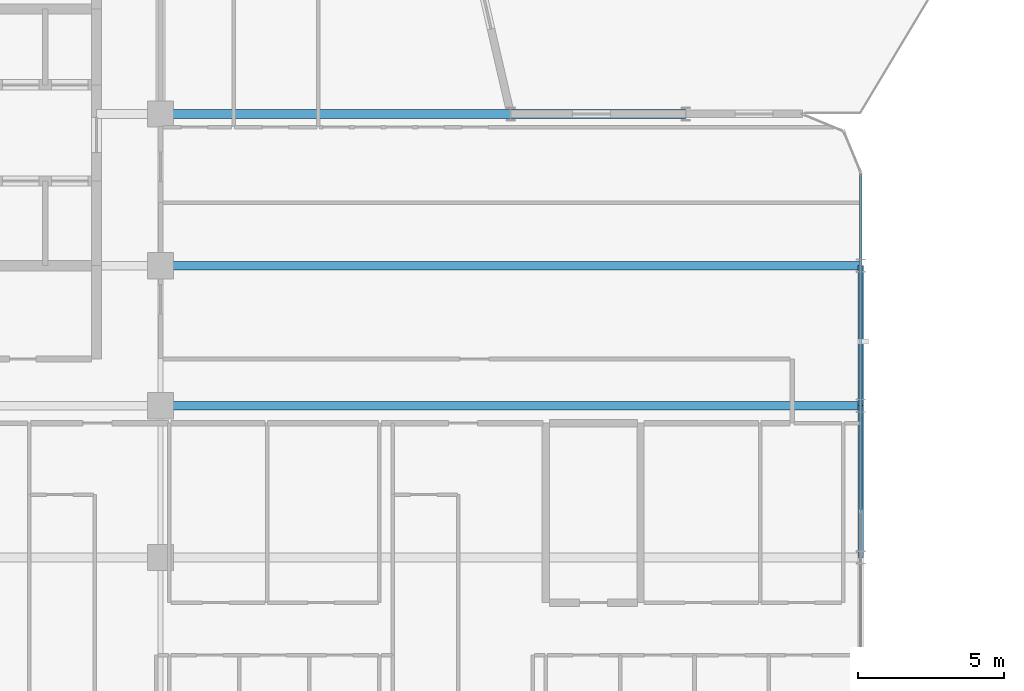
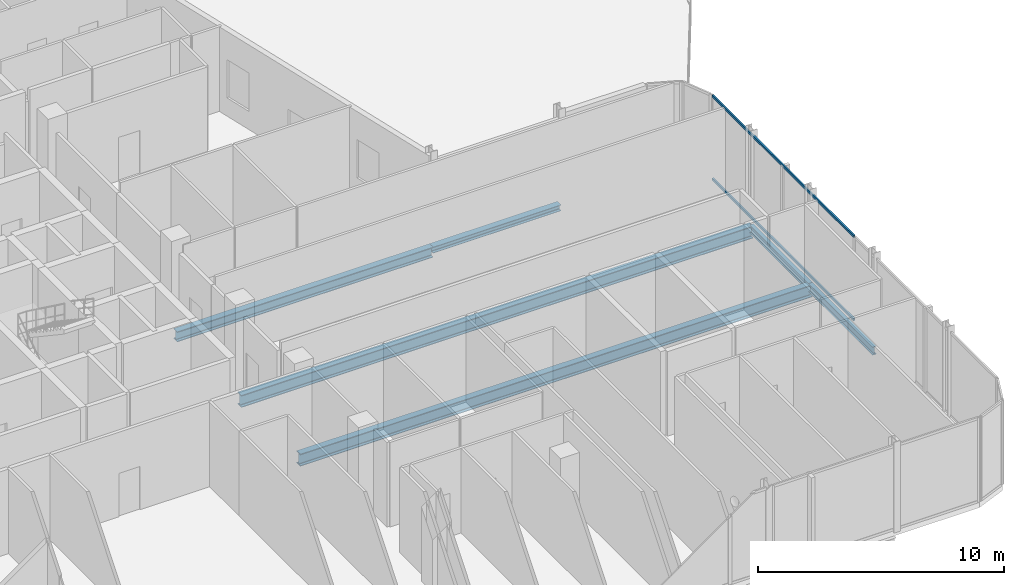
# One storey, part 13 of 28: 6 beams, 2 members, 1 element without a shape of its own.
"""IFC4 building model written with IfcOpenShell, lengths in metres."""

from ifc_helpers import new_model, si_unit, direction, frame, origin, origin_2d, place, context, subcontext, project, spatial, hollow_rectangle, i_section, extrude, material, layer, layer_set, material_profile, profile_set, type_object, element, aggregate, save


model = new_model("IFC4")

# Units and contexts
model_context = context("Model", 3, precision=1e-05, world=origin(), true_north=direction((0.0, 1.0)))
body_context = subcontext(model_context, "Body", "Model", "MODEL_VIEW")
ifc_project = project(units=[si_unit("LENGTHUNIT", "METRE"), si_unit("AREAUNIT", "SQUARE_METRE"), si_unit("VOLUMEUNIT", "CUBIC_METRE"), si_unit("PLANEANGLEUNIT", "RADIAN"), si_unit("MASSUNIT", "GRAM", prefix="KILO")], contexts=[model_context])

# Site, building, storey
site_placement = place(None, origin())
site = spatial("IfcSite", under=ifc_project, at=site_placement, CompositionType="ELEMENT")
building_placement = place(site_placement, origin())
building = spatial("IfcBuilding", under=site, at=building_placement, Name="Keshet Zoharim Tower", CompositionType="ELEMENT")
storey_placement = place(building_placement, frame((0.0, 0.0, 164.60009765625)))
storey = spatial("IfcBuildingStorey", under=building, at=storey_placement, Name="L40", CompositionType="ELEMENT", Elevation=164.60009765625)

# Beams
ifc_material_1 = material(Name="Steel S355", Category="steel")
ifc_material_profile_1 = material_profile(ifc_material_1, i_section(OverallWidth=0.300048828125, OverallDepth=0.60009765625, WebThickness=0.015380859375, FlangeThickness=0.030029296875, FilletRadius=0.027099609375, at=origin_2d()), Name="HEB600")
ifc_profile_set_1 = profile_set([ifc_material_profile_1], Name="Steel S355")
beam_type_1 = type_object("IfcBeamType", Name="BM-LNG-HB600", PredefinedType="BEAM", material=ifc_profile_set_1)
for number, where, z_axis, x_axis, name in (
    (1, (33.0, 17.89990234375, -0.610107421875), (1.0, 0.0, 0.0), (0.0, 1.0, 0.0), "L40 Primary Girder X-013"),
    (2, (33.0, 22.699951171875, -0.610107421875), (1.0, 0.0, 0.0), (0.0, 1.0, 0.0), "L40 Primary Girder X-014"),
):
    element("IfcBeam", number, at=place(storey_placement, frame(where, z_axis=z_axis, x_axis=x_axis)), inside=storey, type_object=beam_type_1, Name=name, PredefinedType="BEAM", context=body_context, shape_type="SweptSolid", body=[
        extrude(i_section(OverallWidth=0.300048828125, OverallDepth=0.60009765625, WebThickness=0.015380859375, FlangeThickness=0.030029296875, FilletRadius=0.027099609375, at=origin_2d()), origin(), (0.0, 0.0, 1.0), 24.0),
    ])
ifc_material_profile_2 = material_profile(ifc_material_1, i_section(OverallWidth=0.300048828125, OverallDepth=0.5, WebThickness=0.014404296875, FlangeThickness=0.028076171875, FilletRadius=0.027099609375, at=origin_2d()), Name="HEB500")
ifc_profile_set_2 = profile_set([ifc_material_profile_2], Name="Steel S355")
beam_type_2 = type_object("IfcBeamType", Name="BM-MED-HB500", PredefinedType="BEAM", material=ifc_profile_set_2)
beam_1_placement = place(storey_placement, frame((33.0, 27.89990234375, -0.56005859375), z_axis=(1.0, 0.0, 0.0), x_axis=(0.0, 1.0, 0.0)))
element("IfcBeam", 3, at=beam_1_placement, inside=storey, type_object=beam_type_2, Name="L40 Primary Girder X-015", PredefinedType="BEAM", context=body_context, shape_type="SweptSolid", body=[
    extrude(i_section(OverallWidth=0.300048828125, OverallDepth=0.5, WebThickness=0.014404296875, FlangeThickness=0.028076171875, FilletRadius=0.027099609375, at=origin_2d()), origin(), (0.0, 0.0, 1.0), 12.0),
])
ifc_material_profile_3 = material_profile(ifc_material_1, i_section(OverallWidth=0.300048828125, OverallDepth=0.300048828125, WebThickness=0.010986328125, FlangeThickness=0.01904296875, FilletRadius=0.027099609375, at=origin_2d()), Name="HEB300")
ifc_profile_set_3 = profile_set([ifc_material_profile_3], Name="Steel S355")
beam_type_3 = type_object("IfcBeamType", Name="BM-PRI-HB300", PredefinedType="BEAM", material=ifc_profile_set_3)
beam_2_placement = place(storey_placement, frame((45.0, 27.89990234375, -0.460205078125), z_axis=(1.0, 0.0, 0.0), x_axis=(0.0, 1.0, 0.0)))
element("IfcBeam", 4, at=beam_2_placement, inside=storey, type_object=beam_type_3, Name="L40 Primary Girder X-016", PredefinedType="BEAM", context=body_context, shape_type="SweptSolid", body=[
    extrude(i_section(OverallWidth=0.300048828125, OverallDepth=0.300048828125, WebThickness=0.010986328125, FlangeThickness=0.01904296875, FilletRadius=0.027099609375, at=origin_2d()), origin(), (0.0, 0.0, 1.0), 6.0),
])
ifc_material_profile_4 = material_profile(ifc_material_1, i_section(OverallWidth=0.179931640625, OverallDepth=0.39990234375, WebThickness=0.008544921875, FlangeThickness=0.013427734375, FilletRadius=0.02099609375, at=origin_2d()), Name="IPE400")
ifc_profile_set_4 = profile_set([ifc_material_profile_4], Name="Steel S355")
beam_type_4 = type_object("IfcBeamType", Name="BM-PRI-IP400", PredefinedType="BEAM", material=ifc_profile_set_4)
beam_3_placement = place(storey_placement, frame((57.0, 12.699951171875, -0.510009765625), z_axis=(0.0, 1.0, 0.0), x_axis=(-1.0, 0.0, 0.0)))
element("IfcBeam", 5, at=beam_3_placement, inside=storey, type_object=beam_type_4, Name="L40 Primary Girder Y-014", PredefinedType="BEAM", context=body_context, shape_type="SweptSolid", body=[
    extrude(i_section(OverallWidth=0.179931640625, OverallDepth=0.39990234375, WebThickness=0.008544921875, FlangeThickness=0.013427734375, FilletRadius=0.02099609375, at=origin_2d()), origin(), (0.0, 0.0, 1.0), 5.199951171875),
])
beam_4_placement = place(storey_placement, frame((57.0, 17.89990234375, -0.510009765625), z_axis=(0.0, 1.0, 0.0), x_axis=(-1.0, 0.0, 0.0)))
element("IfcBeam", 6, at=beam_4_placement, inside=storey, type_object=beam_type_4, Name="L40 Primary Girder Y-015", PredefinedType="BEAM", context=body_context, shape_type="SweptSolid", body=[
    extrude(i_section(OverallWidth=0.179931640625, OverallDepth=0.39990234375, WebThickness=0.008544921875, FlangeThickness=0.013427734375, FilletRadius=0.02099609375, at=origin_2d()), origin(), (0.0, 0.0, 1.0), 4.800048828125),
])

# Curtain wall, members
ifc_material_2 = material(Name="Aluminium 6063-T6", Category="aluminium")
ifc_layer = layer(ifc_material_2, 0.139892578125)
ifc_layer_set = layer_set([ifc_layer], Name="Aluminium 6063-T6")
curtain_wall_type = type_object("IfcCurtainWallType", Name="CW-SYS-05", PredefinedType="NOTDEFINED", material=ifc_layer_set)
curtain_wall_placement = place(storey_placement, origin())
curtain_wall = element("IfcCurtainWall", 7, at=curtain_wall_placement, inside=storey, type_object=curtain_wall_type, Name="L40 Unitised Curtain Wall 03", PredefinedType="NOTDEFINED")
ifc_material_profile_5 = material_profile(ifc_material_2, hollow_rectangle(XDim=0.074951171875, YDim=0.1201171875, WallThickness=0.00390625, at=origin_2d()), Name="TRN-75x120")
ifc_profile_set_5 = profile_set([ifc_material_profile_5], Name="Aluminium 6063-T6")
member_type = type_object("IfcMemberType", Name="CWT-T12", PredefinedType="USERDEFINED", material=ifc_profile_set_5)
member_1_placement = place(storey_placement, frame((57.0, 25.830078125, 0.034912109375), z_axis=(0.0, -1.0, 0.0), x_axis=(1.0, 0.0, 0.0)))
member_1 = element("IfcMember", 8, at=member_1_placement, type_object=member_type, Name="CW-05 transom 1.1", ObjectType="TRANSOM", PredefinedType="USERDEFINED", context=body_context, shape_type="SweptSolid", body=[
    extrude(hollow_rectangle(XDim=0.074951171875, YDim=0.1201171875, WallThickness=0.00390625, at=origin_2d()), origin(), (0.0, 0.0, 1.0), 11.4951171875),
])
member_2_placement = place(storey_placement, frame((57.0, 25.830078125, 4.15478515625), z_axis=(0.0, -1.0, 0.0), x_axis=(1.0, 0.0, 0.0)))
member_2 = element("IfcMember", 9, at=member_2_placement, type_object=member_type, Name="CW-05 transom 1.2", ObjectType="TRANSOM", PredefinedType="USERDEFINED", context=body_context, shape_type="SweptSolid", body=[
    extrude(hollow_rectangle(XDim=0.074951171875, YDim=0.1201171875, WallThickness=0.00390625, at=origin_2d()), origin(), (0.0, 0.0, 1.0), 11.4951171875),
])
aggregate(curtain_wall, [member_1, member_2])

save(model, "model.ifc")
